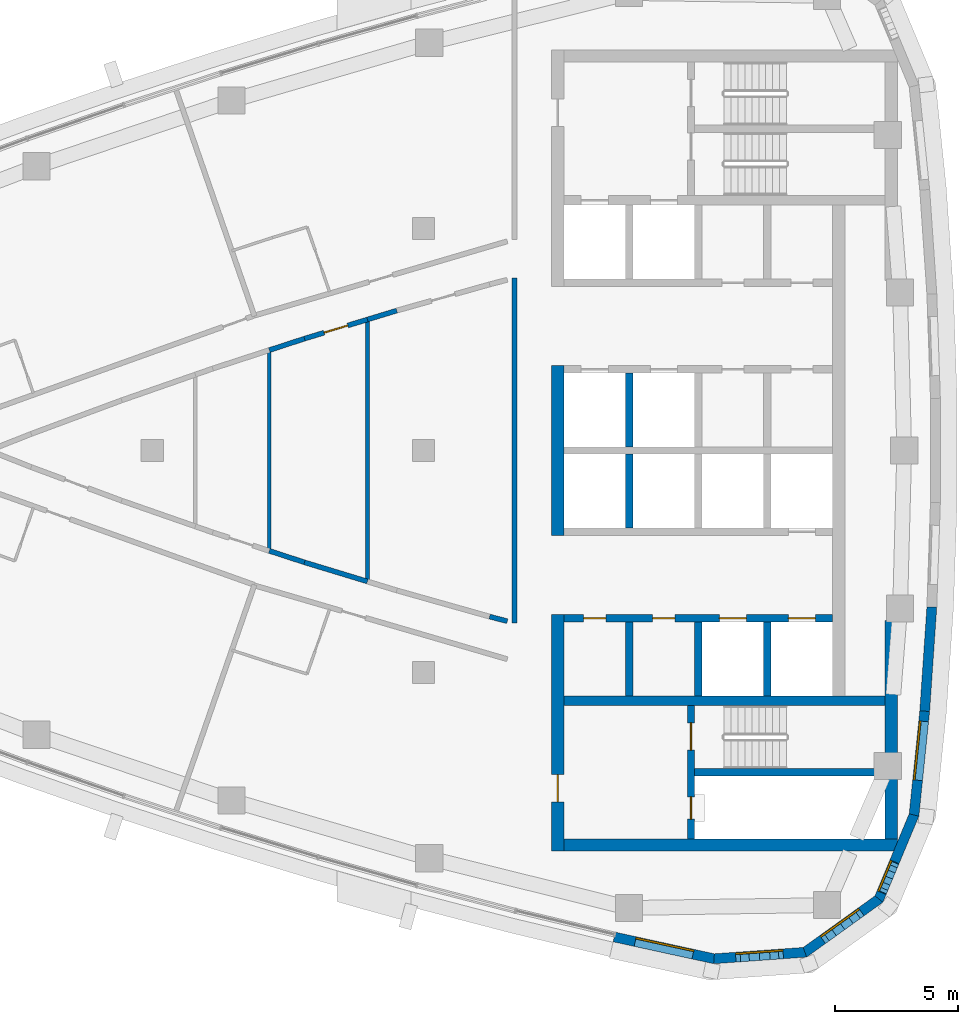
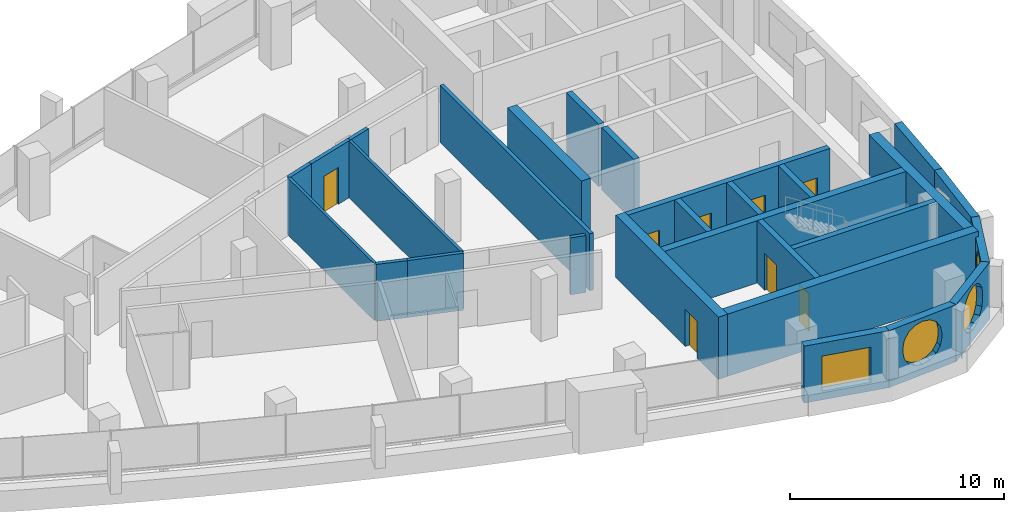
# One storey, part 8 of 14: 28 walls, 8 doors, 5 windows, 13 openings.
"""IFC4 building model written with IfcOpenShell, lengths in metres."""

from ifc_helpers import new_model, si_unit, direction, frame, frame_2d, origin, place, context, subcontext, project, spatial, polyline, rectangle, outline, extrude, material, layer, layer_set, type_object, element, fill, save


model = new_model("IFC4")

# Units and contexts
model_context = context("Model", 3, precision=1e-05, world=origin(), true_north=direction((0.0, 1.0)))
body_context = subcontext(model_context, "Body", "Model", "MODEL_VIEW")
ifc_project = project(units=[si_unit("LENGTHUNIT", "METRE"), si_unit("AREAUNIT", "SQUARE_METRE"), si_unit("VOLUMEUNIT", "CUBIC_METRE"), si_unit("PLANEANGLEUNIT", "RADIAN"), si_unit("MASSUNIT", "GRAM", prefix="KILO")], contexts=[model_context])

# Site, building, storey
site_placement = place(None, origin())
site = spatial("IfcSite", under=ifc_project, at=site_placement, CompositionType="ELEMENT")
building_placement = place(site_placement, origin())
building = spatial("IfcBuilding", under=site, at=building_placement, Name="Ostrand Prow Hotel Tower", CompositionType="ELEMENT")
storey_placement = place(building_placement, frame((0.0, 0.0, 275.0)))
storey = spatial("IfcBuildingStorey", under=building, at=storey_placement, Name="L69", CompositionType="ELEMENT", Elevation=275.0)

# Wall
ifc_material_1 = material(Name="Concrete C50/60", Category="concrete")
ifc_layer_1 = layer(ifc_material_1, 0.300048828125)
ifc_layer_set_1 = layer_set([ifc_layer_1], Name="Concrete C50/60")
wall_type_1 = type_object("IfcWallType", Name="Core wall 300 C50/60", PredefinedType="SHEAR", material=ifc_layer_set_1)
wall_1_placement = place(storey_placement, frame((53.35009765625, 0.14990234375, 0.0), z_axis=(0.0, 0.0, 1.0), x_axis=(0.0, 1.0, 0.0)))
element("IfcWall", 1, at=wall_1_placement, inside=storey, type_object=wall_type_1, Name="Core wall PW-R1-NB", PredefinedType="SHEAR", context=body_context, shape_type="SweptSolid", body=[
    extrude(rectangle(XDim=3.0, YDim=0.300048828125, at=frame_2d((1.5, 0.0))), origin(), (0.0, 0.0, 1.0), 3.550048828125),
])

# Wall, openings, doors
wall_2_placement = place(storey_placement, frame((50.699951171875, -6.800048828125, 0.0), z_axis=(0.0, 0.0, 1.0), x_axis=(1.0, 0.0, 0.0)))
wall_2 = element("IfcWall", 2, at=wall_2_placement, inside=storey, type_object=wall_type_1, Name="Core wall PW-L2-S", PredefinedType="SHEAR", context=body_context, shape_type="SweptSolid", body=[
    extrude(rectangle(XDim=10.900146484375, YDim=0.300048828125, at=frame_2d((5.4501953125, 0.0))), origin(), (0.0, 0.0, 1.0), 3.550048828125),
])
opening_1_placement = place(wall_2_placement, frame((6.300048828125, 0.0, 0.0)))
opening_1 = element("IfcOpeningElement", 3, at=opening_1_placement, cuts=wall_2, Name="Opening LD", PredefinedType="OPENING", context=body_context, shape_type="SweptSolid", body=[
    extrude(rectangle(XDim=1.10009765625, YDim=2.10009765625, at=frame_2d((0.550048828125, 1.050048828125))), frame((0.0, 0.159912109375, 0.0), z_axis=(0.0, -1.0, 0.0), x_axis=(1.0, 0.0, 0.0)), (0.0, 0.0, 1.0), 0.320068359375),
])
opening_2_placement = place(wall_2_placement, frame((9.10009765625, 0.0, 0.0)))
opening_2 = element("IfcOpeningElement", 4, at=opening_2_placement, cuts=wall_2, Name="Opening LD", PredefinedType="OPENING", context=body_context, shape_type="SweptSolid", body=[
    extrude(rectangle(XDim=1.10009765625, YDim=2.10009765625, at=frame_2d((0.550048828125, 1.050048828125))), frame((0.0, 0.159912109375, 0.0), z_axis=(0.0, -1.0, 0.0), x_axis=(1.0, 0.0, 0.0)), (0.0, 0.0, 1.0), 0.320068359375),
])
opening_3_placement = place(wall_2_placement, frame((0.800048828125, 0.0, 0.0)))
opening_3 = element("IfcOpeningElement", 5, at=opening_3_placement, cuts=wall_2, Name="Opening FD2", PredefinedType="OPENING", context=body_context, shape_type="SweptSolid", body=[
    extrude(rectangle(XDim=0.89990234375, YDim=2.10009765625, at=frame_2d((0.449951171875, 1.050048828125))), frame((0.0, 0.159912109375, 0.0), z_axis=(0.0, -1.0, 0.0), x_axis=(1.0, 0.0, 0.0)), (0.0, 0.0, 1.0), 0.320068359375),
])
opening_4_placement = place(wall_2_placement, frame((3.60009765625, 0.0, 0.0)))
opening_4 = element("IfcOpeningElement", 6, at=opening_4_placement, cuts=wall_2, Name="Opening FD2", PredefinedType="OPENING", context=body_context, shape_type="SweptSolid", body=[
    extrude(rectangle(XDim=0.89990234375, YDim=2.10009765625, at=frame_2d((0.449951171875, 1.050048828125))), frame((0.0, 0.159912109375, 0.0), z_axis=(0.0, -1.0, 0.0), x_axis=(1.0, 0.0, 0.0)), (0.0, 0.0, 1.0), 0.320068359375),
])
ifc_material_2 = material(Name="Steel fire door", Category="steel")
door_type_1 = type_object("IfcDoorType", Name="Fire door 900 EI120", OperationType="SINGLE_SWING_LEFT", PredefinedType="DOOR", material=ifc_material_2)
door_1_placement = place(opening_3_placement, origin())
door_1 = element("IfcDoor", 7, at=door_1_placement, inside=storey, type_object=door_type_1, Name="DOOR", OperationType="SINGLE_SWING_LEFT", OverallHeight=2.10009765625, OverallWidth=0.89990234375, PredefinedType="DOOR", context=body_context, shape_type="SweptSolid", body=[
    extrude(rectangle(XDim=0.89990234375, YDim=2.10009765625, at=frame_2d((0.449951171875, 1.050048828125))), frame((0.0, 0.02490234375, 0.0), z_axis=(0.0, -1.0, 0.0), x_axis=(1.0, 0.0, 0.0)), (0.0, 0.0, 1.0), 0.050048828125),
])
fill(opening_3, door_1)
door_2_placement = place(opening_4_placement, origin())
door_2 = element("IfcDoor", 8, at=door_2_placement, inside=storey, type_object=door_type_1, Name="DOOR", OperationType="SINGLE_SWING_LEFT", OverallHeight=2.10009765625, OverallWidth=0.89990234375, PredefinedType="DOOR", context=body_context, shape_type="SweptSolid", body=[
    extrude(rectangle(XDim=0.89990234375, YDim=2.10009765625, at=frame_2d((0.449951171875, 1.050048828125))), frame((0.0, 0.02490234375, 0.0), z_axis=(0.0, -1.0, 0.0), x_axis=(1.0, 0.0, 0.0)), (0.0, 0.0, 1.0), 0.050048828125),
])
fill(opening_4, door_2)
ifc_material_3 = material(Name="Stainless steel door", Category="steel")
door_type_2 = type_object("IfcDoorType", Name="Lift landing door 1100", OperationType="DOUBLE_DOOR_SLIDING", PredefinedType="DOOR", material=ifc_material_3)
door_3_placement = place(opening_1_placement, origin())
door_3 = element("IfcDoor", 9, at=door_3_placement, inside=storey, type_object=door_type_2, Name="LIFT LANDING DOOR", OperationType="DOUBLE_DOOR_SLIDING", OverallHeight=2.10009765625, OverallWidth=1.10009765625, PredefinedType="DOOR", context=body_context, shape_type="SweptSolid", body=[
    extrude(rectangle(XDim=1.10009765625, YDim=2.10009765625, at=frame_2d((0.550048828125, 1.050048828125))), frame((0.0, 0.02490234375, 0.0), z_axis=(0.0, -1.0, 0.0), x_axis=(1.0, 0.0, 0.0)), (0.0, 0.0, 1.0), 0.050048828125),
])
fill(opening_1, door_3)
door_4_placement = place(opening_2_placement, origin())
door_4 = element("IfcDoor", 10, at=door_4_placement, inside=storey, type_object=door_type_2, Name="LIFT LANDING DOOR", OperationType="DOUBLE_DOOR_SLIDING", OverallHeight=2.10009765625, OverallWidth=1.10009765625, PredefinedType="DOOR", context=body_context, shape_type="SweptSolid", body=[
    extrude(rectangle(XDim=1.10009765625, YDim=2.10009765625, at=frame_2d((0.550048828125, 1.050048828125))), frame((0.0, 0.02490234375, 0.0), z_axis=(0.0, -1.0, 0.0), x_axis=(1.0, 0.0, 0.0)), (0.0, 0.0, 1.0), 0.050048828125),
])
fill(opening_2, door_4)

# Walls
for number, where, z_axis, x_axis, name in (
    (11, (53.35009765625, -3.14990234375, 0.0), (0.0, 0.0, 1.0), (0.0, 1.0, 0.0), "Core wall PW-R1-SB"),
    (12, (53.35009765625, -9.949951171875, 0.0), (0.0, 0.0, 1.0), (0.0, 1.0, 0.0), "Core wall PW-R1-SA"),
    (13, (56.14990234375, -9.949951171875, 0.0), (0.0, 0.0, 1.0), (0.0, 1.0, 0.0), "Core wall PW-R2-SA"),
    (14, (58.949951171875, -9.949951171875, 0.0), (0.0, 0.0, 1.0), (0.0, 1.0, 0.0), "Core wall PW-R3-SA"),
):
    element("IfcWall", number, at=place(storey_placement, frame(where, z_axis=z_axis, x_axis=x_axis)), inside=storey, type_object=wall_type_1, Name=name, PredefinedType="SHEAR", context=body_context, shape_type="SweptSolid", body=[
        extrude(rectangle(XDim=3.0, YDim=0.300048828125, at=frame_2d((1.5, 0.0))), origin(), (0.0, 0.0, 1.0), 3.550048828125),
    ])

# Wall, openings, doors
wall_3_placement = place(storey_placement, frame((55.85009765625, -15.75, 0.0), z_axis=(0.0, 0.0, 1.0), x_axis=(0.0, 1.0, 0.0)))
wall_3 = element("IfcWall", 15, at=wall_3_placement, inside=storey, type_object=wall_type_1, Name="Core wall PW-VS", PredefinedType="SHEAR", context=body_context, shape_type="SweptSolid", body=[
    extrude(rectangle(XDim=5.39990234375, YDim=0.300048828125, at=frame_2d((2.699951171875, 0.0))), origin(), (0.0, 0.0, 1.0), 3.550048828125),
])
opening_5_placement = place(wall_3_placement, frame((3.60009765625, 0.0, 0.0)))
opening_5 = element("IfcOpeningElement", 16, at=opening_5_placement, cuts=wall_3, Name="Opening FD1", PredefinedType="OPENING", context=body_context, shape_type="SweptSolid", body=[
    extrude(rectangle(XDim=1.10009765625, YDim=2.10009765625, at=frame_2d((0.550048828125, 1.050048828125))), frame((0.0, 0.159912109375, 0.0), z_axis=(0.0, -1.0, 0.0), x_axis=(1.0, 0.0, 0.0)), (0.0, 0.0, 1.0), 0.320068359375),
])
opening_6_placement = place(wall_3_placement, frame((0.800048828125, 0.0, 0.0)))
opening_6 = element("IfcOpeningElement", 17, at=opening_6_placement, cuts=wall_3, Name="Opening FD2", PredefinedType="OPENING", context=body_context, shape_type="SweptSolid", body=[
    extrude(rectangle(XDim=0.89990234375, YDim=2.10009765625, at=frame_2d((0.449951171875, 1.050048828125))), frame((0.0, 0.159912109375, 0.0), z_axis=(0.0, -1.0, 0.0), x_axis=(1.0, 0.0, 0.0)), (0.0, 0.0, 1.0), 0.320068359375),
])
ifc_material_4 = material(Name="Steel fire door", Category="steel")
door_type_3 = type_object("IfcDoorType", Name="Fire door 1100 EI120", OperationType="SINGLE_SWING_RIGHT", PredefinedType="DOOR", material=ifc_material_4)
door_5_placement = place(opening_5_placement, origin())
door_5 = element("IfcDoor", 18, at=door_5_placement, inside=storey, type_object=door_type_3, Name="FIRE DOOR", OperationType="SINGLE_SWING_RIGHT", OverallHeight=2.10009765625, OverallWidth=1.10009765625, PredefinedType="DOOR", context=body_context, shape_type="SweptSolid", body=[
    extrude(rectangle(XDim=1.10009765625, YDim=2.10009765625, at=frame_2d((0.550048828125, 1.050048828125))), frame((0.0, 0.02490234375, 0.0), z_axis=(0.0, -1.0, 0.0), x_axis=(1.0, 0.0, 0.0)), (0.0, 0.0, 1.0), 0.050048828125),
])
fill(opening_5, door_5)
door_6_placement = place(opening_6_placement, origin())
door_6 = element("IfcDoor", 19, at=door_6_placement, inside=storey, type_object=door_type_1, Name="FIRE DOOR", OperationType="SINGLE_SWING_LEFT", OverallHeight=2.10009765625, OverallWidth=0.89990234375, PredefinedType="DOOR", context=body_context, shape_type="SweptSolid", body=[
    extrude(rectangle(XDim=0.89990234375, YDim=2.10009765625, at=frame_2d((0.449951171875, 1.050048828125))), frame((0.0, 0.02490234375, 0.0), z_axis=(0.0, -1.0, 0.0), x_axis=(1.0, 0.0, 0.0)), (0.0, 0.0, 1.0), 0.050048828125),
])
fill(opening_6, door_6)

# Walls
wall_4_placement = place(storey_placement, frame((56.0, -13.050048828125, 0.0), z_axis=(0.0, 0.0, 1.0), x_axis=(1.0, 0.0, 0.0)))
element("IfcWall", 20, at=wall_4_placement, inside=storey, type_object=wall_type_1, Name="Core wall PW-ST2R", PredefinedType="SHEAR", context=body_context, shape_type="SweptSolid", body=[
    extrude(rectangle(XDim=7.719970703125, YDim=0.300048828125, at=frame_2d((3.85986328125, 0.0))), origin(), (0.0, 0.0, 1.0), 3.550048828125),
])
ifc_material_5 = material(Name="Concrete C50/60", Category="concrete")
ifc_layer_2 = layer(ifc_material_5, 0.39990234375)
ifc_layer_set_2 = layer_set([ifc_layer_2], Name="Concrete C50/60")
wall_type_2 = type_object("IfcWallType", Name="Core wall 400 C50/60", PredefinedType="SHEAR", material=ifc_layer_set_2)
wall_5_placement = place(storey_placement, frame((50.699951171875, -10.14990234375, 0.0), z_axis=(0.0, 0.0, 1.0), x_axis=(1.0, 0.0, 0.0)))
element("IfcWall", 21, at=wall_5_placement, inside=storey, type_object=wall_type_2, Name="Core wall PW-BS", PredefinedType="SHEAR", context=body_context, shape_type="SweptSolid", body=[
    extrude(rectangle(XDim=13.02001953125, YDim=0.39990234375, at=frame_2d((6.510009765625, 0.0))), origin(), (0.0, 0.0, 1.0), 3.550048828125),
])
ifc_material_6 = material(Name="Concrete C50/60", Category="concrete")
ifc_layer_3 = layer(ifc_material_6, 0.5)
ifc_layer_set_3 = layer_set([ifc_layer_3], Name="Concrete C50/60")
wall_type_3 = type_object("IfcWallType", Name="Core wall 500 C50/60", PredefinedType="SHEAR", material=ifc_layer_set_3)
wall_6_placement = place(storey_placement, frame((50.449951171875, -3.449951171875, 0.0), z_axis=(0.0, 0.0, 1.0), x_axis=(0.0, 1.0, 0.0)))
element("IfcWall", 22, at=wall_6_placement, inside=storey, type_object=wall_type_3, Name="Core wall CW-W-C", PredefinedType="SHEAR", context=body_context, shape_type="SweptSolid", body=[
    extrude(rectangle(XDim=6.89990234375, YDim=0.5, at=frame_2d((3.449951171875, 0.0))), origin(), (0.0, 0.0, 1.0), 3.550048828125),
])

# Wall, opening, door
wall_7_placement = place(storey_placement, frame((50.449951171875, -16.25, 0.0), z_axis=(0.0, 0.0, 1.0), x_axis=(0.0, 1.0, 0.0)))
wall_7 = element("IfcWall", 23, at=wall_7_placement, inside=storey, type_object=wall_type_3, Name="Core wall CW-W-S", PredefinedType="SHEAR", context=body_context, shape_type="SweptSolid", body=[
    extrude(rectangle(XDim=9.60009765625, YDim=0.5, at=frame_2d((4.800048828125, 0.0))), origin(), (0.0, 0.0, 1.0), 3.550048828125),
])
opening_7_placement = place(wall_7_placement, frame((2.0, 0.0, 0.0)))
opening_7 = element("IfcOpeningElement", 24, at=opening_7_placement, cuts=wall_7, Name="Opening FD1", PredefinedType="OPENING", context=body_context, shape_type="SweptSolid", body=[
    extrude(rectangle(XDim=1.10009765625, YDim=2.10009765625, at=frame_2d((0.550048828125, 1.050048828125))), frame((0.0, 0.260009765625, 0.0), z_axis=(0.0, -1.0, 0.0), x_axis=(1.0, 0.0, 0.0)), (0.0, 0.0, 1.0), 0.52001953125),
])
door_7_placement = place(opening_7_placement, origin())
door_7 = element("IfcDoor", 25, at=door_7_placement, inside=storey, type_object=door_type_3, Name="FIRE DOOR", OperationType="SINGLE_SWING_RIGHT", OverallHeight=2.10009765625, OverallWidth=1.10009765625, PredefinedType="DOOR", context=body_context, shape_type="SweptSolid", body=[
    extrude(rectangle(XDim=1.10009765625, YDim=2.10009765625, at=frame_2d((0.550048828125, 1.050048828125))), frame((0.0, 0.02490234375, 0.0), z_axis=(0.0, -1.0, 0.0), x_axis=(1.0, 0.0, 0.0)), (0.0, 0.0, 1.0), 0.050048828125),
])
fill(opening_7, door_7)

# Walls
wall_8_placement = place(storey_placement, frame((50.699951171875, -16.0, 0.0), z_axis=(0.0, 0.0, 1.0), x_axis=(1.0, 0.0, 0.0)))
element("IfcWall", 26, at=wall_8_placement, inside=storey, type_object=wall_type_3, Name="Core wall CW-S", PredefinedType="SHEAR", context=body_context, shape_type="SweptSolid", body=[
    extrude(rectangle(XDim=13.52001953125, YDim=0.5, at=frame_2d((6.760009765625, 0.0))), origin(), (0.0, 0.0, 1.0), 3.550048828125),
])
wall_9_placement = place(storey_placement, frame((63.969970703125, -15.75, 0.0), z_axis=(0.0, 0.0, 1.0), x_axis=(0.0, 1.0, 0.0)))
element("IfcWall", 27, at=wall_9_placement, inside=storey, type_object=wall_type_3, Name="Core wall CW-E-S", PredefinedType="SHEAR", context=body_context, shape_type="SweptSolid", body=[
    extrude(rectangle(XDim=8.8466796875, YDim=0.5, at=frame_2d((4.42333984375, 0.0))), origin(), (0.0, 0.0, 1.0), 3.550048828125),
])
ifc_material_7 = material(Name="Plasterboard partition")
ifc_layer_4 = layer(ifc_material_7, 0.14990234375)
ifc_layer_set_4 = layer_set([ifc_layer_4], Name="Plasterboard partition")
wall_type_4 = type_object("IfcWallType", Name="Partition 150 room partition", PredefinedType="PARTITIONING", material=ifc_layer_set_4)
wall_10_placement = place(storey_placement, frame((38.746337890625, -4.0703125, 0.0), z_axis=(0.0, 0.0, 1.0), x_axis=(0.0, 1.0, 0.0)))
element("IfcWall", 28, at=wall_10_placement, inside=storey, type_object=wall_type_4, Name="ROOM PARTITION", PredefinedType="PARTITIONING", context=body_context, shape_type="SweptSolid", body=[
    extrude(rectangle(XDim=8.140625, YDim=0.14990234375, at=frame_2d((4.0703125, 0.0))), origin(), (0.0, 0.0, 1.0), 3.25),
])
wall_11_placement = place(storey_placement, frame((42.727783203125, -5.3125, 0.0), z_axis=(0.0, 0.0, 1.0), x_axis=(0.0, 1.0, 0.0)))
element("IfcWall", 29, at=wall_11_placement, inside=storey, type_object=wall_type_4, Name="ROOM PARTITION", PredefinedType="PARTITIONING", context=body_context, shape_type="SweptSolid", body=[
    extrude(rectangle(XDim=10.625, YDim=0.14990234375, at=frame_2d((5.3125, 0.0))), origin(), (0.0, 0.0, 1.0), 3.25),
])

# Wall, opening, door
ifc_material_8 = material(Name="Plasterboard partition")
ifc_layer_5 = layer(ifc_material_8, 0.199951171875)
ifc_layer_set_5 = layer_set([ifc_layer_5], Name="Plasterboard partition")
wall_type_5 = type_object("IfcWallType", Name="Partition 200 corridor wall", PredefinedType="PARTITIONING", material=ifc_layer_set_5)
wall_12_placement = place(storey_placement, frame((40.1748046875, 4.5361328125, 0.0), z_axis=(0.0, 0.0, 1.0), x_axis=(0.95673923086, 0.290946806363, 0.0)))
wall_12 = element("IfcWall", 30, at=wall_12_placement, inside=storey, type_object=wall_type_5, Name="CORRIDOR WALL", PredefinedType="PARTITIONING", context=body_context, shape_type="SweptSolid", body=[
    extrude(rectangle(XDim=2.66845703125, YDim=0.199951171875, at=frame_2d((1.334228515625, 0.0))), origin(), (0.0, 0.0, 1.0), 3.25),
])
opening_8_placement = place(wall_12_placement, frame((0.834228515625, 0.0, 0.0)))
opening_8 = element("IfcOpeningElement", 31, at=opening_8_placement, cuts=wall_12, Name="Opening D1R", PredefinedType="OPENING", context=body_context, shape_type="SweptSolid", body=[
    extrude(rectangle(XDim=1.0, YDim=2.10009765625, at=frame_2d((0.5, 1.050048828125))), frame((0.0, 0.10986328125, 0.0), z_axis=(0.0, -1.0, 0.0), x_axis=(1.0, 0.0, 0.0)), (0.0, 0.0, 1.0), 0.219970703125),
])
ifc_material_9 = material(Name="Timber door leaf", Category="wood")
door_type_4 = type_object("IfcDoorType", Name="Guest room door 1000 right", OperationType="SINGLE_SWING_RIGHT", PredefinedType="DOOR", material=ifc_material_9)
door_8_placement = place(opening_8_placement, origin())
door_8 = element("IfcDoor", 32, at=door_8_placement, inside=storey, type_object=door_type_4, Name="DOOR", OperationType="SINGLE_SWING_RIGHT", OverallHeight=2.10009765625, OverallWidth=1.0, PredefinedType="DOOR", context=body_context, shape_type="SweptSolid", body=[
    extrude(rectangle(XDim=1.0, YDim=2.10009765625, at=frame_2d((0.5, 1.050048828125))), frame((0.0, 0.02490234375, 0.0), z_axis=(0.0, -1.0, 0.0), x_axis=(1.0, 0.0, 0.0)), (0.0, 0.0, 1.0), 0.050048828125),
])
fill(opening_8, door_8)

# Walls
wall_13_placement = place(storey_placement, frame((42.727783203125, -5.3125, 0.0), z_axis=(0.0, 0.0, 1.0), x_axis=(-0.95673923086, 0.290946806363, 0.0)))
element("IfcWall", 33, at=wall_13_placement, inside=storey, type_object=wall_type_5, Name="CORRIDOR WALL", PredefinedType="PARTITIONING", context=body_context, shape_type="SweptSolid", body=[
    extrude(rectangle(XDim=2.66845703125, YDim=0.199951171875, at=frame_2d((1.334228515625, 0.0))), origin(), (0.0, 0.0, 1.0), 3.25),
])
for number, where, z_axis, x_axis, name in (
    (34, (40.1748046875, -4.5361328125, 0.0), (0.0, 0.0, 1.0), (-0.950726715968, 0.310030178442, 0.0), "CORRIDOR WALL"),
    (35, (38.746337890625, 4.0703125, 0.0), (0.0, 0.0, 1.0), (0.950726715968, 0.310030178442, 0.0), "CORRIDOR WALL"),
):
    element("IfcWall", number, at=place(storey_placement, frame(where, z_axis=z_axis, x_axis=x_axis)), inside=storey, type_object=wall_type_5, Name=name, PredefinedType="PARTITIONING", context=body_context, shape_type="SweptSolid", body=[
        extrude(rectangle(XDim=1.50244140625, YDim=0.199951171875, at=frame_2d((0.751220703125, 0.0))), origin(), (0.0, 0.0, 1.0), 3.25),
    ])
wall_14_placement = place(storey_placement, frame((42.727783203125, 5.3125, 0.0), z_axis=(0.0, 0.0, 1.0), x_axis=(0.956690508666, 0.291106974546, 0.0)))
element("IfcWall", 36, at=wall_14_placement, inside=storey, type_object=wall_type_5, Name="CORRIDOR WALL", PredefinedType="PARTITIONING", context=body_context, shape_type="SweptSolid", body=[
    extrude(rectangle(XDim=1.24462890625, YDim=0.199951171875, at=frame_2d((0.622314453125, 0.0))), origin(), (0.0, 0.0, 1.0), 3.25),
])
wall_15_placement = place(storey_placement, frame((48.39990234375, -6.92431640625, 0.0), z_axis=(0.0, 0.0, 1.0), x_axis=(-0.967585713416, 0.252542842294, 0.0)))
element("IfcWall", 37, at=wall_15_placement, inside=storey, type_object=wall_type_5, Name="CORRIDOR WALL", PredefinedType="PARTITIONING", context=body_context, shape_type="SweptSolid", body=[
    extrude(rectangle(XDim=0.739501953125, YDim=0.199951171875, at=frame_2d((0.36962890625, 0.0))), origin(), (0.0, 0.0, 1.0), 3.25),
])
wall_16_placement = place(storey_placement, frame((48.695068359375, 6.995849609375, 0.0), z_axis=(0.0, 0.0, 1.0), x_axis=(0.0, -1.0, 0.0)))
element("IfcWall", 38, at=wall_16_placement, inside=storey, type_object=wall_type_5, Name="CORRIDOR WALL", PredefinedType="PARTITIONING", context=body_context, shape_type="SweptSolid", body=[
    extrude(rectangle(XDim=13.99169921875, YDim=0.199951171875, at=frame_2d((6.995849609375, 0.0))), origin(), (0.0, 0.0, 1.0), 3.25),
])

# Wall, opening, window
ifc_material_10 = material(Name="Precast concrete C40/50", Category="concrete")
ifc_layer_6 = layer(ifc_material_10, 0.39990234375)
ifc_layer_set_6 = layer_set([ifc_layer_6], Name="Precast concrete C40/50")
wall_type_6 = type_object("IfcWallType", Name="Stone-faced precast wall 400 mm", PredefinedType="NOTDEFINED", material=ifc_layer_set_6)
wall_17_placement = place(storey_placement, frame((52.73828125, -19.73193359375, 0.0), z_axis=(0.0, 0.0, 1.0), x_axis=(0.977020225348, -0.213146614471, 0.0)))
wall_17 = element("IfcWall", 39, at=wall_17_placement, inside=storey, type_object=wall_type_6, Name="Stone-faced wall back 1", PredefinedType="NOTDEFINED", context=body_context, shape_type="SweptSolid", body=[
    extrude(outline(polyline([(0.0, -0.199951171875), (4.170654296875, -0.199951171875), (4.113037109375, 0.199951171875), (0.0, 0.199951171875), (0.0, -0.199951171875)])), origin(), (0.0, 0.0, 1.0), 3.25),
])
opening_9_placement = place(wall_17_placement, frame((0.870849609375, 0.0, 0.5)))
opening_9 = element("IfcOpeningElement", 40, at=opening_9_placement, cuts=wall_17, Name="Opening WA1", PredefinedType="OPENING", context=body_context, shape_type="SweptSolid", body=[
    extrude(rectangle(XDim=2.39990234375, YDim=2.0, at=frame_2d((1.199951171875, 1.0))), frame((0.0, 0.2099609375, 0.0), z_axis=(0.0, -1.0, 0.0), x_axis=(1.0, 0.0, 0.0)), (0.0, 0.0, 1.0), 0.419921875),
])
ifc_material_11 = material(Name="Insulated glass in bronze frame", Category="glass")
window_type_1 = type_object("IfcWindowType", Name="Amenity picture window 2400x2000", PartitioningType="SINGLE_PANEL", PredefinedType="WINDOW", material=ifc_material_11)
window_1_placement = place(opening_9_placement, origin())
window_1 = element("IfcWindow", 41, at=window_1_placement, inside=storey, type_object=window_type_1, Name="Window back 1.1", OverallHeight=2.0, OverallWidth=2.39990234375, PartitioningType="SINGLE_PANEL", PredefinedType="WINDOW", context=body_context, shape_type="SweptSolid", body=[
    extrude(rectangle(XDim=2.39990234375, YDim=2.0, at=frame_2d((1.199951171875, 1.0))), frame((0.0, 0.169921875, 0.0), z_axis=(0.0, -1.0, 0.0), x_axis=(1.0, 0.0, 0.0)), (0.0, 0.0, 1.0), 0.06005859375),
])
fill(opening_9, window_1)

wall_18_placement = place(storey_placement, frame((56.784912109375, -20.61474609375, 0.0), z_axis=(0.0, 0.0, 1.0), x_axis=(0.99746272096, 0.071190731806, 0.0)))
wall_18 = element("IfcWall", 42, at=wall_18_placement, inside=storey, type_object=wall_type_6, Name="Stone-faced wall back 2", PredefinedType="NOTDEFINED", context=body_context, shape_type="SweptSolid", body=[
    extrude(outline(polyline([(-0.02880859375, -0.199951171875), (3.75341796875, -0.199951171875), (3.64013671875, 0.199951171875), (0.02880859375, 0.199951171875), (-0.02880859375, -0.199951171875)])), origin(), (0.0, 0.0, 1.0), 3.25),
])
opening_10_placement = place(wall_18_placement, frame((0.748291015625, 0.0, 0.60009765625)))
opening_10 = element("IfcOpeningElement", 43, at=opening_10_placement, cuts=wall_18, Name="Opening WP2", PredefinedType="OPENING", context=body_context, shape_type="SweptSolid", body=[
    extrude(outline(polyline([(0.0, 1.35009765625), (0.083740234375, 1.77099609375), (0.322265625, 2.127685546875), (0.678955078125, 2.3662109375), (1.10009765625, 2.449951171875), (1.52099609375, 2.3662109375), (1.877685546875, 2.127685546875), (2.1162109375, 1.77099609375), (2.199951171875, 1.35009765625), (2.199951171875, 1.10009765625), (2.1162109375, 0.678955078125), (1.877685546875, 0.322265625), (1.52099609375, 0.083740234375), (1.10009765625, 0.0), (0.678955078125, 0.083740234375), (0.322265625, 0.322265625), (0.083740234375, 0.678955078125), (0.0, 1.099853515625), (0.0, 1.35009765625)])), frame((0.0, 0.2099609375, 0.0), z_axis=(0.0, -1.0, 0.0), x_axis=(1.0, 0.0, 0.0)), (0.0, 0.0, 1.0), 0.419921875),
])
ifc_material_12 = material(Name="Insulated glass in bronze frame", Category="glass")
window_type_2 = type_object("IfcWindowType", Name="Round-ended prow lounge window 2200x2450", PartitioningType="SINGLE_PANEL", PredefinedType="WINDOW", material=ifc_material_12)
window_2_placement = place(opening_10_placement, origin())
window_2 = element("IfcWindow", 44, at=window_2_placement, inside=storey, type_object=window_type_2, Name="Window back 2.1", OverallHeight=2.449951171875, OverallWidth=2.199951171875, PartitioningType="SINGLE_PANEL", PredefinedType="WINDOW", context=body_context, shape_type="SweptSolid", body=[
    extrude(outline(polyline([(0.0, 1.35009765625), (0.083740234375, 1.77099609375), (0.322265625, 2.127685546875), (0.678955078125, 2.3662109375), (1.10009765625, 2.449951171875), (1.52099609375, 2.3662109375), (1.877685546875, 2.127685546875), (2.1162109375, 1.77099609375), (2.199951171875, 1.35009765625), (2.199951171875, 1.10009765625), (2.1162109375, 0.678955078125), (1.877685546875, 0.322265625), (1.52099609375, 0.083740234375), (1.10009765625, 0.0), (0.678955078125, 0.083740234375), (0.322265625, 0.322265625), (0.083740234375, 0.678955078125), (0.0, 1.099853515625), (0.0, 1.35009765625)])), frame((0.0, 0.169921875, 0.0), z_axis=(0.0, -1.0, 0.0), x_axis=(1.0, 0.0, 0.0)), (0.0, 0.0, 1.0), 0.06005859375),
])
fill(opening_10, window_2)

wall_19_placement = place(storey_placement, frame((60.472412109375, -20.3515625, 0.0), z_axis=(0.0, 0.0, 1.0), x_axis=(0.811962548682, 0.583709533533, 0.0)))
wall_19 = element("IfcWall", 45, at=wall_19_placement, inside=storey, type_object=wall_type_6, Name="Stone-faced wall back 3", PredefinedType="NOTDEFINED", context=body_context, shape_type="SweptSolid", body=[
    extrude(outline(polyline([(-0.056640625, -0.199951171875), (3.753173828125, -0.199951171875), (3.639892578125, 0.199951171875), (0.056640625, 0.199951171875), (-0.056640625, -0.199951171875)])), origin(), (0.0, 0.0, 1.0), 3.25),
])
opening_11_placement = place(wall_19_placement, frame((0.748291015625, 0.0, 0.60009765625)))
opening_11 = element("IfcOpeningElement", 46, at=opening_11_placement, cuts=wall_19, Name="Opening WP2", PredefinedType="OPENING", context=body_context, shape_type="SweptSolid", body=[
    extrude(outline(polyline([(0.0, 1.35009765625), (0.083740234375, 1.77099609375), (0.322265625, 2.127685546875), (0.678955078125, 2.3662109375), (1.10009765625, 2.449951171875), (1.52099609375, 2.3662109375), (1.877685546875, 2.127685546875), (2.1162109375, 1.77099609375), (2.199951171875, 1.35009765625), (2.199951171875, 1.10009765625), (2.1162109375, 0.678955078125), (1.877685546875, 0.322265625), (1.52099609375, 0.083740234375), (1.10009765625, 0.0), (0.678955078125, 0.083740234375), (0.322265625, 0.322265625), (0.083740234375, 0.678955078125), (0.0, 1.099853515625), (0.0, 1.35009765625)])), frame((0.0, 0.2099609375, 0.0), z_axis=(0.0, -1.0, 0.0), x_axis=(1.0, 0.0, 0.0)), (0.0, 0.0, 1.0), 0.419921875),
])
window_3_placement = place(opening_11_placement, origin())
window_3 = element("IfcWindow", 47, at=window_3_placement, inside=storey, type_object=window_type_2, Name="Window back 3.1", OverallHeight=2.449951171875, OverallWidth=2.199951171875, PartitioningType="SINGLE_PANEL", PredefinedType="WINDOW", context=body_context, shape_type="SweptSolid", body=[
    extrude(outline(polyline([(0.0, 1.35009765625), (0.083740234375, 1.77099609375), (0.322265625, 2.127685546875), (0.678955078125, 2.3662109375), (1.10009765625, 2.449951171875), (1.52099609375, 2.3662109375), (1.877685546875, 2.127685546875), (2.1162109375, 1.77099609375), (2.199951171875, 1.35009765625), (2.199951171875, 1.10009765625), (2.1162109375, 0.678955078125), (1.877685546875, 0.322265625), (1.52099609375, 0.083740234375), (1.10009765625, 0.0), (0.678955078125, 0.083740234375), (0.322265625, 0.322265625), (0.083740234375, 0.678955078125), (0.0, 1.099853515625), (0.0, 1.35009765625)])), frame((0.0, 0.169921875, 0.0), z_axis=(0.0, -1.0, 0.0), x_axis=(1.0, 0.0, 0.0)), (0.0, 0.0, 1.0), 0.06005859375),
])
fill(opening_11, window_3)

wall_20_placement = place(storey_placement, frame((63.473876953125, -18.19384765625, 0.0), z_axis=(0.0, 0.0, 1.0), x_axis=(0.385285857918, 0.922797273343, 0.0)))
wall_20 = element("IfcWall", 48, at=wall_20_placement, inside=storey, type_object=wall_type_6, Name="Stone-faced wall back 4", PredefinedType="NOTDEFINED", context=body_context, shape_type="SweptSolid", body=[
    extrude(outline(polyline([(-0.056640625, -0.199951171875), (3.726318359375, -0.199951171875), (3.667236328125, 0.199951171875), (0.056640625, 0.199951171875), (-0.056640625, -0.199951171875)])), origin(), (0.0, 0.0, 1.0), 3.25),
])
opening_12_placement = place(wall_20_placement, frame((0.26123046875, 0.0, 0.60009765625)))
opening_12 = element("IfcOpeningElement", 49, at=opening_12_placement, cuts=wall_20, Name="Opening WP2-14", PredefinedType="OPENING", context=body_context, shape_type="SweptSolid", body=[
    extrude(outline(polyline([(0.0, 1.75), (0.05322265625, 2.017822265625), (0.205078125, 2.244873046875), (0.43212890625, 2.396728515625), (0.699951171875, 2.449951171875), (0.9677734375, 2.396728515625), (1.19482421875, 2.244873046875), (1.3466796875, 2.017822265625), (1.39990234375, 1.75), (1.39990234375, 0.699951171875), (1.3466796875, 0.43212890625), (1.19482421875, 0.205078125), (0.9677734375, 0.05322265625), (0.699951171875, 0.0), (0.43212890625, 0.05322265625), (0.205078125, 0.205078125), (0.05322265625, 0.43212890625), (0.0, 0.699951171875), (0.0, 1.75)])), frame((0.0, 0.2099609375, 0.0), z_axis=(0.0, -1.0, 0.0), x_axis=(1.0, 0.0, 0.0)), (0.0, 0.0, 1.0), 0.419921875),
])
ifc_material_13 = material(Name="Insulated glass in bronze frame", Category="glass")
window_type_3 = type_object("IfcWindowType", Name="Round-ended prow lounge window 1400x2450", PartitioningType="SINGLE_PANEL", PredefinedType="WINDOW", material=ifc_material_13)
window_4_placement = place(opening_12_placement, origin())
window_4 = element("IfcWindow", 50, at=window_4_placement, inside=storey, type_object=window_type_3, Name="Window back 4.1", OverallHeight=2.449951171875, OverallWidth=1.39990234375, PartitioningType="SINGLE_PANEL", PredefinedType="WINDOW", context=body_context, shape_type="SweptSolid", body=[
    extrude(outline(polyline([(0.0, 1.75), (0.05322265625, 2.017822265625), (0.205078125, 2.244873046875), (0.43212890625, 2.396728515625), (0.699951171875, 2.449951171875), (0.9677734375, 2.396728515625), (1.19482421875, 2.244873046875), (1.3466796875, 2.017822265625), (1.39990234375, 1.75), (1.39990234375, 0.699951171875), (1.3466796875, 0.43212890625), (1.19482421875, 0.205078125), (0.9677734375, 0.05322265625), (0.699951171875, 0.0), (0.43212890625, 0.05322265625), (0.205078125, 0.205078125), (0.05322265625, 0.43212890625), (0.0, 0.699951171875), (0.0, 1.75)])), frame((0.0, 0.169921875, 0.0), z_axis=(0.0, -1.0, 0.0), x_axis=(1.0, 0.0, 0.0)), (0.0, 0.0, 1.0), 0.06005859375),
])
fill(opening_12, window_4)

wall_21_placement = place(storey_placement, frame((64.898193359375, -14.782470703125, 0.0), z_axis=(0.0, 0.0, 1.0), x_axis=(0.102249826987, 0.994758751096, 0.0)))
wall_21 = element("IfcWall", 51, at=wall_21_placement, inside=storey, type_object=wall_type_6, Name="Stone-faced wall back 5", PredefinedType="NOTDEFINED", context=body_context, shape_type="SweptSolid", body=[
    extrude(outline(polyline([(-0.029541015625, -0.199951171875), (4.23681640625, -0.199951171875), (4.22998046875, 0.199951171875), (0.029541015625, 0.199951171875), (-0.029541015625, -0.199951171875)])), origin(), (0.0, 0.0, 1.0), 3.25),
])
opening_13_placement = place(wall_21_placement, frame((1.416748046875, 0.0, 0.5)))
opening_13 = element("IfcOpeningElement", 52, at=opening_13_placement, cuts=wall_21, Name="Opening WA1", PredefinedType="OPENING", context=body_context, shape_type="SweptSolid", body=[
    extrude(rectangle(XDim=2.39990234375, YDim=2.0, at=frame_2d((1.199951171875, 1.0))), frame((0.0, 0.2099609375, 0.0), z_axis=(0.0, -1.0, 0.0), x_axis=(1.0, 0.0, 0.0)), (0.0, 0.0, 1.0), 0.419921875),
])
window_5_placement = place(opening_13_placement, origin())
window_5 = element("IfcWindow", 53, at=window_5_placement, inside=storey, type_object=window_type_1, Name="Window back 5.1", OverallHeight=2.0, OverallWidth=2.39990234375, PartitioningType="SINGLE_PANEL", PredefinedType="WINDOW", context=body_context, shape_type="SweptSolid", body=[
    extrude(rectangle(XDim=2.39990234375, YDim=2.0, at=frame_2d((1.199951171875, 1.0))), frame((0.0, 0.169921875, 0.0), z_axis=(0.0, -1.0, 0.0), x_axis=(1.0, 0.0, 0.0)), (0.0, 0.0, 1.0), 0.06005859375),
])
fill(opening_13, window_5)

# Wall
wall_22_placement = place(storey_placement, frame((65.3310546875, -10.5712890625, 0.0), z_axis=(0.0, 0.0, 1.0), x_axis=(0.068279584479, 0.997666225921, 0.0)))
element("IfcWall", 54, at=wall_22_placement, inside=storey, type_object=wall_type_6, Name="Stone-faced wall back 6", PredefinedType="NOTDEFINED", context=body_context, shape_type="SweptSolid", body=[
    extrude(outline(polyline([(-0.00341796875, -0.199951171875), (4.23681640625, -0.199951171875), (4.22998046875, 0.199951171875), (0.00341796875, 0.199951171875), (-0.00341796875, -0.199951171875)])), origin(), (0.0, 0.0, 1.0), 3.25),
])

save(model, "model.ifc")
